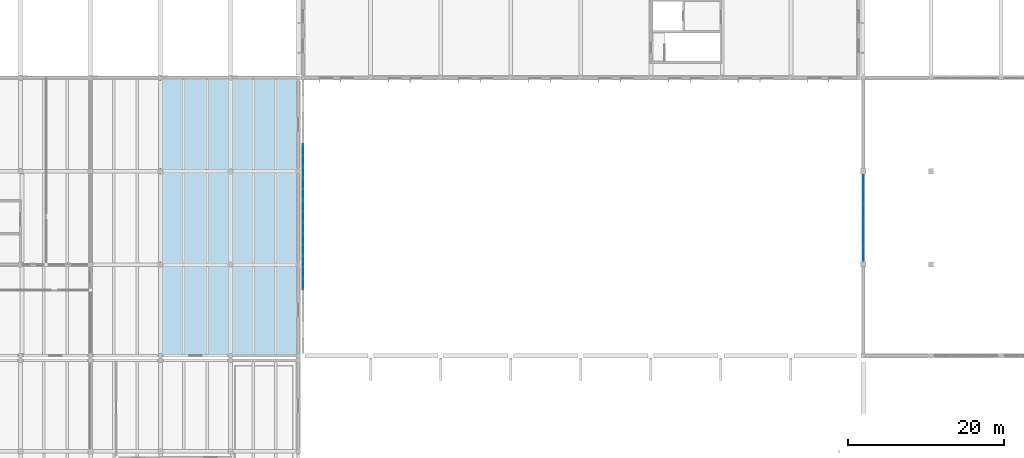
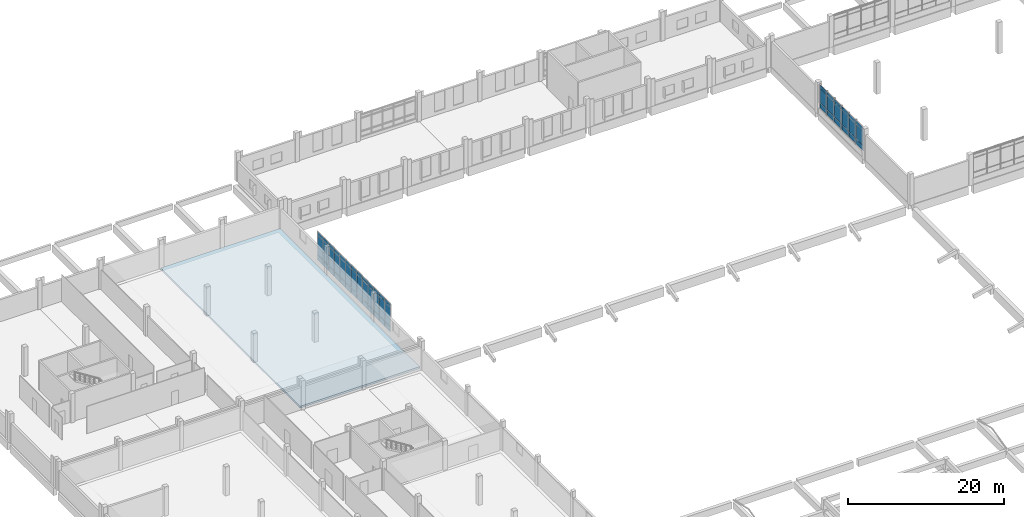
# One storey, part 28 of 63: 57 plates, 1 slab, 2 elements without a shape of their own.
"""IFC4 building model written with IfcOpenShell, lengths in metres."""

from ifc_helpers import new_model, si_unit, direction, frame, origin, origin_2d, place, context, subcontext, project, spatial, polyline, rectangle, outline, extrude, material, layer, layer_set, type_object, element, aggregate, save


model = new_model("IFC4")

# Units and contexts
model_context = context("Model", 3, precision=1e-05, world=origin(), true_north=direction((0.0, 1.0)))
body_context = subcontext(model_context, "Body", "Model", "MODEL_VIEW")
ifc_project = project(units=[si_unit("LENGTHUNIT", "METRE"), si_unit("AREAUNIT", "SQUARE_METRE"), si_unit("VOLUMEUNIT", "CUBIC_METRE"), si_unit("PLANEANGLEUNIT", "RADIAN"), si_unit("MASSUNIT", "GRAM", prefix="KILO")], contexts=[model_context])

# Site, building, storey
site_placement = place(None, origin())
site = spatial("IfcSite", under=ifc_project, at=site_placement, CompositionType="ELEMENT")
building_placement = place(site_placement, origin())
building = spatial("IfcBuilding", under=site, at=building_placement, Name="Zacnel Wholesale Market", CompositionType="ELEMENT")
storey_placement = place(building_placement, frame((0.0, 0.0, 11.199951171875)))
storey = spatial("IfcBuildingStorey", under=building, at=storey_placement, Name="L03", CompositionType="ELEMENT", Elevation=11.199951171875)

# Curtain wall, plates
ifc_material_1 = material(Name="Anodised aluminium", Category="aluminium")
ifc_layer_1 = layer(ifc_material_1, 0.159912109375)
ifc_layer_set_1 = layer_set([ifc_layer_1], Name="Anodised aluminium")
curtain_wall_type_1 = type_object("IfcCurtainWallType", Name="CW-NAVE-4200", PredefinedType="NOTDEFINED", material=ifc_layer_set_1)
curtain_wall_1_placement = place(storey_placement, origin())
curtain_wall_1 = element("IfcCurtainWall", 1, at=curtain_wall_1_placement, inside=storey, type_object=curtain_wall_type_1, Name="Curtain wall ENV-CW-GABLE-NW-W", PredefinedType="NOTDEFINED")
ifc_material_2 = material(Name="Laminated hurricane-impact low-E insulated glass", Category="glass")
ifc_layer_2 = layer(ifc_material_2, 0.031982421875)
ifc_layer_set_2 = layer_set([ifc_layer_2], Name="Laminated hurricane-impact low-E insulated glass")
plate_type_1 = type_object("IfcPlateType", Name="CWP-PNL-02", PredefinedType="CURTAIN_PANEL", material=ifc_layer_set_2)
plate_1_placement = place(storey_placement, frame((72.300048828125, 105.519287109375, 0.8798828125), z_axis=(0.0, 0.0, 1.0), x_axis=(0.0, 1.0, 0.0)))
plate_1 = element("IfcPlate", 2, at=plate_1_placement, type_object=plate_type_1, Name="ENV-CW-GABLE-NW-W panel 1-2", PredefinedType="CURTAIN_PANEL", context=body_context, shape_type="SweptSolid", body=[
    extrude(rectangle(XDim=1.368408203125, YDim=0.031982421875, at=origin_2d()), origin(), (0.0, 0.0, 1.0), 2.989990234375),
])
plate_2_placement = place(storey_placement, frame((72.300048828125, 106.957763671875, 0.8798828125), z_axis=(0.0, 0.0, 1.0), x_axis=(0.0, 1.0, 0.0)))
plate_2 = element("IfcPlate", 3, at=plate_2_placement, type_object=plate_type_1, Name="ENV-CW-GABLE-NW-W panel 2-2", PredefinedType="CURTAIN_PANEL", context=body_context, shape_type="SweptSolid", body=[
    extrude(rectangle(XDim=1.368408203125, YDim=0.031982421875, at=origin_2d()), origin(), (0.0, 0.0, 1.0), 2.989990234375),
])
plate_3_placement = place(storey_placement, frame((72.300048828125, 108.396240234375, 0.8798828125), z_axis=(0.0, 0.0, 1.0), x_axis=(0.0, 1.0, 0.0)))
plate_3 = element("IfcPlate", 4, at=plate_3_placement, type_object=plate_type_1, Name="ENV-CW-GABLE-NW-W panel 3-2", PredefinedType="CURTAIN_PANEL", context=body_context, shape_type="SweptSolid", body=[
    extrude(rectangle(XDim=1.368408203125, YDim=0.031982421875, at=origin_2d()), origin(), (0.0, 0.0, 1.0), 2.989990234375),
])
plate_4_placement = place(storey_placement, frame((72.300048828125, 109.834716796875, 0.8798828125), z_axis=(0.0, 0.0, 1.0), x_axis=(0.0, 1.0, 0.0)))
plate_4 = element("IfcPlate", 5, at=plate_4_placement, type_object=plate_type_1, Name="ENV-CW-GABLE-NW-W panel 4-2", PredefinedType="CURTAIN_PANEL", context=body_context, shape_type="SweptSolid", body=[
    extrude(rectangle(XDim=1.368408203125, YDim=0.031982421875, at=origin_2d()), origin(), (0.0, 0.0, 1.0), 2.989990234375),
])
plate_5_placement = place(storey_placement, frame((72.300048828125, 111.273193359375, 0.8798828125), z_axis=(0.0, 0.0, 1.0), x_axis=(0.0, 1.0, 0.0)))
plate_5 = element("IfcPlate", 6, at=plate_5_placement, type_object=plate_type_1, Name="ENV-CW-GABLE-NW-W panel 5-2", PredefinedType="CURTAIN_PANEL", context=body_context, shape_type="SweptSolid", body=[
    extrude(rectangle(XDim=1.368408203125, YDim=0.031982421875, at=origin_2d()), origin(), (0.0, 0.0, 1.0), 2.989990234375),
])
plate_6_placement = place(storey_placement, frame((72.300048828125, 112.71142578125, 0.8798828125), z_axis=(0.0, 0.0, 1.0), x_axis=(0.0, 1.0, 0.0)))
plate_6 = element("IfcPlate", 7, at=plate_6_placement, type_object=plate_type_1, Name="ENV-CW-GABLE-NW-W panel 6-2", PredefinedType="CURTAIN_PANEL", context=body_context, shape_type="SweptSolid", body=[
    extrude(rectangle(XDim=1.368408203125, YDim=0.031982421875, at=origin_2d()), origin(), (0.0, 0.0, 1.0), 2.989990234375),
])
plate_7_placement = place(storey_placement, frame((72.300048828125, 114.14990234375, 0.8798828125), z_axis=(0.0, 0.0, 1.0), x_axis=(0.0, 1.0, 0.0)))
plate_7 = element("IfcPlate", 8, at=plate_7_placement, type_object=plate_type_1, Name="ENV-CW-GABLE-NW-W panel 7-2", PredefinedType="CURTAIN_PANEL", context=body_context, shape_type="SweptSolid", body=[
    extrude(rectangle(XDim=1.368408203125, YDim=0.031982421875, at=origin_2d()), origin(), (0.0, 0.0, 1.0), 2.989990234375),
])
plate_8_placement = place(storey_placement, frame((72.300048828125, 115.58837890625, 0.8798828125), z_axis=(0.0, 0.0, 1.0), x_axis=(0.0, 1.0, 0.0)))
plate_8 = element("IfcPlate", 9, at=plate_8_placement, type_object=plate_type_1, Name="ENV-CW-GABLE-NW-W panel 8-2", PredefinedType="CURTAIN_PANEL", context=body_context, shape_type="SweptSolid", body=[
    extrude(rectangle(XDim=1.368408203125, YDim=0.031982421875, at=origin_2d()), origin(), (0.0, 0.0, 1.0), 2.989990234375),
])
plate_9_placement = place(storey_placement, frame((72.300048828125, 117.02685546875, 0.8798828125), z_axis=(0.0, 0.0, 1.0), x_axis=(0.0, 1.0, 0.0)))
plate_9 = element("IfcPlate", 10, at=plate_9_placement, type_object=plate_type_1, Name="ENV-CW-GABLE-NW-W panel 9-2", PredefinedType="CURTAIN_PANEL", context=body_context, shape_type="SweptSolid", body=[
    extrude(rectangle(XDim=1.368408203125, YDim=0.031982421875, at=origin_2d()), origin(), (0.0, 0.0, 1.0), 2.989990234375),
])
plate_10_placement = place(storey_placement, frame((72.300048828125, 118.46533203125, 0.8798828125), z_axis=(0.0, 0.0, 1.0), x_axis=(0.0, 1.0, 0.0)))
plate_10 = element("IfcPlate", 11, at=plate_10_placement, type_object=plate_type_1, Name="ENV-CW-GABLE-NW-W panel 10-2", PredefinedType="CURTAIN_PANEL", context=body_context, shape_type="SweptSolid", body=[
    extrude(rectangle(XDim=1.368408203125, YDim=0.031982421875, at=origin_2d()), origin(), (0.0, 0.0, 1.0), 2.989990234375),
])
plate_11_placement = place(storey_placement, frame((72.300048828125, 119.90380859375, 0.8798828125), z_axis=(0.0, 0.0, 1.0), x_axis=(0.0, 1.0, 0.0)))
plate_11 = element("IfcPlate", 12, at=plate_11_placement, type_object=plate_type_1, Name="ENV-CW-GABLE-NW-W panel 11-2", PredefinedType="CURTAIN_PANEL", context=body_context, shape_type="SweptSolid", body=[
    extrude(rectangle(XDim=1.368408203125, YDim=0.031982421875, at=origin_2d()), origin(), (0.0, 0.0, 1.0), 2.989990234375),
])
plate_12_placement = place(storey_placement, frame((72.300048828125, 121.34228515625, 0.8798828125), z_axis=(0.0, 0.0, 1.0), x_axis=(0.0, 1.0, 0.0)))
plate_12 = element("IfcPlate", 13, at=plate_12_placement, type_object=plate_type_1, Name="ENV-CW-GABLE-NW-W panel 12-2", PredefinedType="CURTAIN_PANEL", context=body_context, shape_type="SweptSolid", body=[
    extrude(rectangle(XDim=1.368408203125, YDim=0.031982421875, at=origin_2d()), origin(), (0.0, 0.0, 1.0), 2.989990234375),
])
plate_13_placement = place(storey_placement, frame((72.300048828125, 122.78076171875, 0.8798828125), z_axis=(0.0, 0.0, 1.0), x_axis=(0.0, 1.0, 0.0)))
plate_13 = element("IfcPlate", 14, at=plate_13_placement, type_object=plate_type_1, Name="ENV-CW-GABLE-NW-W panel 13-2", PredefinedType="CURTAIN_PANEL", context=body_context, shape_type="SweptSolid", body=[
    extrude(rectangle(XDim=1.368408203125, YDim=0.031982421875, at=origin_2d()), origin(), (0.0, 0.0, 1.0), 2.989990234375),
])

ifc_material_3 = material(Name="Anodised aluminium", Category="aluminium")
ifc_layer_3 = layer(ifc_material_3, 0.14990234375)
ifc_layer_set_3 = layer_set([ifc_layer_3], Name="Anodised aluminium")
curtain_wall_type_2 = type_object("IfcCurtainWallType", Name="CW-CLER-3600", PredefinedType="NOTDEFINED", material=ifc_layer_set_3)
curtain_wall_2_placement = place(storey_placement, origin())
curtain_wall_2 = element("IfcCurtainWall", 15, at=curtain_wall_2_placement, inside=storey, type_object=curtain_wall_type_2, Name="Curtain wall ENV-CW-XDRUM-W-2", PredefinedType="NOTDEFINED")
ifc_material_4 = material(Name="Laminated hurricane-impact low-E insulated glass", Category="glass")
ifc_layer_4 = layer(ifc_material_4, 0.02392578125)
ifc_layer_set_4 = layer_set([ifc_layer_4], Name="Laminated hurricane-impact low-E insulated glass")
plate_type_2 = type_object("IfcPlateType", Name="CWP-PNL-03", PredefinedType="CURTAIN_PANEL", material=ifc_layer_set_4)
plate_14_placement = place(storey_placement, frame((144.300048828125, 109.38330078125, 1.7802734375), z_axis=(0.0, 0.0, 1.0), x_axis=(0.0, 1.0, 0.0)))
plate_14 = element("IfcPlate", 16, at=plate_14_placement, type_object=plate_type_2, Name="ENV-CW-XDRUM-W-2 panel 1-2", PredefinedType="CURTAIN_PANEL", context=body_context, shape_type="SweptSolid", body=[
    extrude(rectangle(XDim=1.776611328125, YDim=0.02392578125, at=origin_2d()), origin(), (0.0, 0.0, 1.0), 2.239990234375),
])
plate_15_placement = place(storey_placement, frame((144.300048828125, 111.22998046875, 1.7802734375), z_axis=(0.0, 0.0, 1.0), x_axis=(0.0, 1.0, 0.0)))
plate_15 = element("IfcPlate", 17, at=plate_15_placement, type_object=plate_type_2, Name="ENV-CW-XDRUM-W-2 panel 2-2", PredefinedType="CURTAIN_PANEL", context=body_context, shape_type="SweptSolid", body=[
    extrude(rectangle(XDim=1.776611328125, YDim=0.02392578125, at=origin_2d()), origin(), (0.0, 0.0, 1.0), 2.239990234375),
])
plate_16_placement = place(storey_placement, frame((144.300048828125, 113.07666015625, 1.7802734375), z_axis=(0.0, 0.0, 1.0), x_axis=(0.0, 1.0, 0.0)))
plate_16 = element("IfcPlate", 18, at=plate_16_placement, type_object=plate_type_2, Name="ENV-CW-XDRUM-W-2 panel 3-2", PredefinedType="CURTAIN_PANEL", context=body_context, shape_type="SweptSolid", body=[
    extrude(rectangle(XDim=1.776611328125, YDim=0.02392578125, at=origin_2d()), origin(), (0.0, 0.0, 1.0), 2.239990234375),
])
plate_17_placement = place(storey_placement, frame((144.300048828125, 114.92333984375, 1.7802734375), z_axis=(0.0, 0.0, 1.0), x_axis=(0.0, 1.0, 0.0)))
plate_17 = element("IfcPlate", 19, at=plate_17_placement, type_object=plate_type_2, Name="ENV-CW-XDRUM-W-2 panel 4-2", PredefinedType="CURTAIN_PANEL", context=body_context, shape_type="SweptSolid", body=[
    extrude(rectangle(XDim=1.776611328125, YDim=0.02392578125, at=origin_2d()), origin(), (0.0, 0.0, 1.0), 2.239990234375),
])
plate_18_placement = place(storey_placement, frame((144.300048828125, 116.77001953125, 1.7802734375), z_axis=(0.0, 0.0, 1.0), x_axis=(0.0, 1.0, 0.0)))
plate_18 = element("IfcPlate", 20, at=plate_18_placement, type_object=plate_type_2, Name="ENV-CW-XDRUM-W-2 panel 5-2", PredefinedType="CURTAIN_PANEL", context=body_context, shape_type="SweptSolid", body=[
    extrude(rectangle(XDim=1.776611328125, YDim=0.02392578125, at=origin_2d()), origin(), (0.0, 0.0, 1.0), 2.239990234375),
])
plate_19_placement = place(storey_placement, frame((144.300048828125, 118.61669921875, 1.7802734375), z_axis=(0.0, 0.0, 1.0), x_axis=(0.0, 1.0, 0.0)))
plate_19 = element("IfcPlate", 21, at=plate_19_placement, type_object=plate_type_2, Name="ENV-CW-XDRUM-W-2 panel 6-2", PredefinedType="CURTAIN_PANEL", context=body_context, shape_type="SweptSolid", body=[
    extrude(rectangle(XDim=1.776611328125, YDim=0.02392578125, at=origin_2d()), origin(), (0.0, 0.0, 1.0), 2.239990234375),
])

# Plate
ifc_material_5 = material(Name="Anodised aluminium", Category="aluminium")
ifc_layer_5 = layer(ifc_material_5, 0.0400390625)
ifc_layer_set_5 = layer_set([ifc_layer_5], Name="Anodised aluminium")
plate_type_3 = type_object("IfcPlateType", Name="CWP-PNL-05", PredefinedType="CURTAIN_PANEL", material=ifc_layer_set_5)
plate_20_placement = place(storey_placement, frame((72.300048828125, 105.519287109375, 0.030029296875), z_axis=(0.0, 0.0, 1.0), x_axis=(0.0, 1.0, 0.0)))
plate_20 = element("IfcPlate", 22, at=plate_20_placement, type_object=plate_type_3, Name="ENV-CW-GABLE-NW-W panel 1-1", PredefinedType="CURTAIN_PANEL", context=body_context, shape_type="SweptSolid", body=[
    extrude(rectangle(XDim=1.368408203125, YDim=0.0400390625, at=origin_2d()), origin(), (0.0, 0.0, 1.0), 0.7900390625),
])

plate_21_placement = place(storey_placement, frame((72.300048828125, 105.519287109375, 3.93017578125), z_axis=(0.0, 0.0, 1.0), x_axis=(0.0, 1.0, 0.0)))
plate_21 = element("IfcPlate", 23, at=plate_21_placement, type_object=plate_type_3, Name="ENV-CW-GABLE-NW-W panel 1-3", PredefinedType="CURTAIN_PANEL", context=body_context, shape_type="SweptSolid", body=[
    extrude(rectangle(XDim=1.368408203125, YDim=0.0400390625, at=origin_2d()), origin(), (0.0, 0.0, 1.0), 0.489990234375),
])

plate_22_placement = place(storey_placement, frame((72.300048828125, 108.396240234375, 0.030029296875), z_axis=(0.0, 0.0, 1.0), x_axis=(0.0, 1.0, 0.0)))
plate_22 = element("IfcPlate", 24, at=plate_22_placement, type_object=plate_type_3, Name="ENV-CW-GABLE-NW-W panel 3-1", PredefinedType="CURTAIN_PANEL", context=body_context, shape_type="SweptSolid", body=[
    extrude(rectangle(XDim=1.368408203125, YDim=0.0400390625, at=origin_2d()), origin(), (0.0, 0.0, 1.0), 0.7900390625),
])

plate_23_placement = place(storey_placement, frame((72.300048828125, 108.396240234375, 3.93017578125), z_axis=(0.0, 0.0, 1.0), x_axis=(0.0, 1.0, 0.0)))
plate_23 = element("IfcPlate", 25, at=plate_23_placement, type_object=plate_type_3, Name="ENV-CW-GABLE-NW-W panel 3-3", PredefinedType="CURTAIN_PANEL", context=body_context, shape_type="SweptSolid", body=[
    extrude(rectangle(XDim=1.368408203125, YDim=0.0400390625, at=origin_2d()), origin(), (0.0, 0.0, 1.0), 0.489990234375),
])

plate_24_placement = place(storey_placement, frame((72.300048828125, 111.273193359375, 0.030029296875), z_axis=(0.0, 0.0, 1.0), x_axis=(0.0, 1.0, 0.0)))
plate_24 = element("IfcPlate", 26, at=plate_24_placement, type_object=plate_type_3, Name="ENV-CW-GABLE-NW-W panel 5-1", PredefinedType="CURTAIN_PANEL", context=body_context, shape_type="SweptSolid", body=[
    extrude(rectangle(XDim=1.368408203125, YDim=0.0400390625, at=origin_2d()), origin(), (0.0, 0.0, 1.0), 0.7900390625),
])

plate_25_placement = place(storey_placement, frame((72.300048828125, 111.273193359375, 3.93017578125), z_axis=(0.0, 0.0, 1.0), x_axis=(0.0, 1.0, 0.0)))
plate_25 = element("IfcPlate", 27, at=plate_25_placement, type_object=plate_type_3, Name="ENV-CW-GABLE-NW-W panel 5-3", PredefinedType="CURTAIN_PANEL", context=body_context, shape_type="SweptSolid", body=[
    extrude(rectangle(XDim=1.368408203125, YDim=0.0400390625, at=origin_2d()), origin(), (0.0, 0.0, 1.0), 0.489990234375),
])

plate_26_placement = place(storey_placement, frame((72.300048828125, 114.14990234375, 0.030029296875), z_axis=(0.0, 0.0, 1.0), x_axis=(0.0, 1.0, 0.0)))
plate_26 = element("IfcPlate", 28, at=plate_26_placement, type_object=plate_type_3, Name="ENV-CW-GABLE-NW-W panel 7-1", PredefinedType="CURTAIN_PANEL", context=body_context, shape_type="SweptSolid", body=[
    extrude(rectangle(XDim=1.368408203125, YDim=0.0400390625, at=origin_2d()), origin(), (0.0, 0.0, 1.0), 0.7900390625),
])

plate_27_placement = place(storey_placement, frame((72.300048828125, 114.14990234375, 3.93017578125), z_axis=(0.0, 0.0, 1.0), x_axis=(0.0, 1.0, 0.0)))
plate_27 = element("IfcPlate", 29, at=plate_27_placement, type_object=plate_type_3, Name="ENV-CW-GABLE-NW-W panel 7-3", PredefinedType="CURTAIN_PANEL", context=body_context, shape_type="SweptSolid", body=[
    extrude(rectangle(XDim=1.368408203125, YDim=0.0400390625, at=origin_2d()), origin(), (0.0, 0.0, 1.0), 0.489990234375),
])

plate_28_placement = place(storey_placement, frame((72.300048828125, 117.02685546875, 0.030029296875), z_axis=(0.0, 0.0, 1.0), x_axis=(0.0, 1.0, 0.0)))
plate_28 = element("IfcPlate", 30, at=plate_28_placement, type_object=plate_type_3, Name="ENV-CW-GABLE-NW-W panel 9-1", PredefinedType="CURTAIN_PANEL", context=body_context, shape_type="SweptSolid", body=[
    extrude(rectangle(XDim=1.368408203125, YDim=0.0400390625, at=origin_2d()), origin(), (0.0, 0.0, 1.0), 0.7900390625),
])

plate_29_placement = place(storey_placement, frame((72.300048828125, 117.02685546875, 3.93017578125), z_axis=(0.0, 0.0, 1.0), x_axis=(0.0, 1.0, 0.0)))
plate_29 = element("IfcPlate", 31, at=plate_29_placement, type_object=plate_type_3, Name="ENV-CW-GABLE-NW-W panel 9-3", PredefinedType="CURTAIN_PANEL", context=body_context, shape_type="SweptSolid", body=[
    extrude(rectangle(XDim=1.368408203125, YDim=0.0400390625, at=origin_2d()), origin(), (0.0, 0.0, 1.0), 0.489990234375),
])

plate_30_placement = place(storey_placement, frame((72.300048828125, 119.90380859375, 0.030029296875), z_axis=(0.0, 0.0, 1.0), x_axis=(0.0, 1.0, 0.0)))
plate_30 = element("IfcPlate", 32, at=plate_30_placement, type_object=plate_type_3, Name="ENV-CW-GABLE-NW-W panel 11-1", PredefinedType="CURTAIN_PANEL", context=body_context, shape_type="SweptSolid", body=[
    extrude(rectangle(XDim=1.368408203125, YDim=0.0400390625, at=origin_2d()), origin(), (0.0, 0.0, 1.0), 0.7900390625),
])

plate_31_placement = place(storey_placement, frame((72.300048828125, 119.90380859375, 3.93017578125), z_axis=(0.0, 0.0, 1.0), x_axis=(0.0, 1.0, 0.0)))
plate_31 = element("IfcPlate", 33, at=plate_31_placement, type_object=plate_type_3, Name="ENV-CW-GABLE-NW-W panel 11-3", PredefinedType="CURTAIN_PANEL", context=body_context, shape_type="SweptSolid", body=[
    extrude(rectangle(XDim=1.368408203125, YDim=0.0400390625, at=origin_2d()), origin(), (0.0, 0.0, 1.0), 0.489990234375),
])

plate_32_placement = place(storey_placement, frame((72.300048828125, 122.78076171875, 0.030029296875), z_axis=(0.0, 0.0, 1.0), x_axis=(0.0, 1.0, 0.0)))
plate_32 = element("IfcPlate", 34, at=plate_32_placement, type_object=plate_type_3, Name="ENV-CW-GABLE-NW-W panel 13-1", PredefinedType="CURTAIN_PANEL", context=body_context, shape_type="SweptSolid", body=[
    extrude(rectangle(XDim=1.368408203125, YDim=0.0400390625, at=origin_2d()), origin(), (0.0, 0.0, 1.0), 0.7900390625),
])

plate_33_placement = place(storey_placement, frame((72.300048828125, 122.78076171875, 3.93017578125), z_axis=(0.0, 0.0, 1.0), x_axis=(0.0, 1.0, 0.0)))
plate_33 = element("IfcPlate", 35, at=plate_33_placement, type_object=plate_type_3, Name="ENV-CW-GABLE-NW-W panel 13-3", PredefinedType="CURTAIN_PANEL", context=body_context, shape_type="SweptSolid", body=[
    extrude(rectangle(XDim=1.368408203125, YDim=0.0400390625, at=origin_2d()), origin(), (0.0, 0.0, 1.0), 0.489990234375),
])

plate_34_placement = place(storey_placement, frame((144.300048828125, 109.38330078125, 0.929931640625), z_axis=(0.0, 0.0, 1.0), x_axis=(0.0, 1.0, 0.0)))
plate_34 = element("IfcPlate", 36, at=plate_34_placement, type_object=plate_type_3, Name="ENV-CW-XDRUM-W-2 panel 1-1", PredefinedType="CURTAIN_PANEL", context=body_context, shape_type="SweptSolid", body=[
    extrude(rectangle(XDim=1.776611328125, YDim=0.0400390625, at=origin_2d()), origin(), (0.0, 0.0, 1.0), 0.7900390625),
])

plate_35_placement = place(storey_placement, frame((144.300048828125, 109.38330078125, 4.080078125), z_axis=(0.0, 0.0, 1.0), x_axis=(0.0, 1.0, 0.0)))
plate_35 = element("IfcPlate", 37, at=plate_35_placement, type_object=plate_type_3, Name="ENV-CW-XDRUM-W-2 panel 1-3", PredefinedType="CURTAIN_PANEL", context=body_context, shape_type="SweptSolid", body=[
    extrude(rectangle(XDim=1.776611328125, YDim=0.0400390625, at=origin_2d()), origin(), (0.0, 0.0, 1.0), 0.489990234375),
])

plate_36_placement = place(storey_placement, frame((144.300048828125, 113.07666015625, 0.929931640625), z_axis=(0.0, 0.0, 1.0), x_axis=(0.0, 1.0, 0.0)))
plate_36 = element("IfcPlate", 38, at=plate_36_placement, type_object=plate_type_3, Name="ENV-CW-XDRUM-W-2 panel 3-1", PredefinedType="CURTAIN_PANEL", context=body_context, shape_type="SweptSolid", body=[
    extrude(rectangle(XDim=1.776611328125, YDim=0.0400390625, at=origin_2d()), origin(), (0.0, 0.0, 1.0), 0.7900390625),
])

plate_37_placement = place(storey_placement, frame((144.300048828125, 113.07666015625, 4.080078125), z_axis=(0.0, 0.0, 1.0), x_axis=(0.0, 1.0, 0.0)))
plate_37 = element("IfcPlate", 39, at=plate_37_placement, type_object=plate_type_3, Name="ENV-CW-XDRUM-W-2 panel 3-3", PredefinedType="CURTAIN_PANEL", context=body_context, shape_type="SweptSolid", body=[
    extrude(rectangle(XDim=1.776611328125, YDim=0.0400390625, at=origin_2d()), origin(), (0.0, 0.0, 1.0), 0.489990234375),
])

plate_38_placement = place(storey_placement, frame((144.300048828125, 116.77001953125, 0.929931640625), z_axis=(0.0, 0.0, 1.0), x_axis=(0.0, 1.0, 0.0)))
plate_38 = element("IfcPlate", 40, at=plate_38_placement, type_object=plate_type_3, Name="ENV-CW-XDRUM-W-2 panel 5-1", PredefinedType="CURTAIN_PANEL", context=body_context, shape_type="SweptSolid", body=[
    extrude(rectangle(XDim=1.776611328125, YDim=0.0400390625, at=origin_2d()), origin(), (0.0, 0.0, 1.0), 0.7900390625),
])

plate_39_placement = place(storey_placement, frame((144.300048828125, 116.77001953125, 4.080078125), z_axis=(0.0, 0.0, 1.0), x_axis=(0.0, 1.0, 0.0)))
plate_39 = element("IfcPlate", 41, at=plate_39_placement, type_object=plate_type_3, Name="ENV-CW-XDRUM-W-2 panel 5-3", PredefinedType="CURTAIN_PANEL", context=body_context, shape_type="SweptSolid", body=[
    extrude(rectangle(XDim=1.776611328125, YDim=0.0400390625, at=origin_2d()), origin(), (0.0, 0.0, 1.0), 0.489990234375),
])

ifc_material_6 = material(Name="Honed Yucatan Maya cream limestone", Category="masonry")
ifc_layer_6 = layer(ifc_material_6, 0.044921875)
ifc_layer_set_6 = layer_set([ifc_layer_6], Name="Honed Yucatan Maya cream limestone")
plate_type_4 = type_object("IfcPlateType", Name="CWP-PNL-06", PredefinedType="CURTAIN_PANEL", material=ifc_layer_set_6)
plate_40_placement = place(storey_placement, frame((72.300048828125, 106.957763671875, 0.030029296875), z_axis=(0.0, 0.0, 1.0), x_axis=(0.0, 1.0, 0.0)))
plate_40 = element("IfcPlate", 42, at=plate_40_placement, type_object=plate_type_4, Name="ENV-CW-GABLE-NW-W panel 2-1", PredefinedType="CURTAIN_PANEL", context=body_context, shape_type="SweptSolid", body=[
    extrude(rectangle(XDim=1.368408203125, YDim=0.044921875, at=origin_2d()), origin(), (0.0, 0.0, 1.0), 0.7900390625),
])

plate_41_placement = place(storey_placement, frame((72.300048828125, 106.957763671875, 3.93017578125), z_axis=(0.0, 0.0, 1.0), x_axis=(0.0, 1.0, 0.0)))
plate_41 = element("IfcPlate", 43, at=plate_41_placement, type_object=plate_type_4, Name="ENV-CW-GABLE-NW-W panel 2-3", PredefinedType="CURTAIN_PANEL", context=body_context, shape_type="SweptSolid", body=[
    extrude(rectangle(XDim=1.368408203125, YDim=0.044921875, at=origin_2d()), origin(), (0.0, 0.0, 1.0), 0.489990234375),
])

plate_42_placement = place(storey_placement, frame((72.300048828125, 109.834716796875, 0.030029296875), z_axis=(0.0, 0.0, 1.0), x_axis=(0.0, 1.0, 0.0)))
plate_42 = element("IfcPlate", 44, at=plate_42_placement, type_object=plate_type_4, Name="ENV-CW-GABLE-NW-W panel 4-1", PredefinedType="CURTAIN_PANEL", context=body_context, shape_type="SweptSolid", body=[
    extrude(rectangle(XDim=1.368408203125, YDim=0.044921875, at=origin_2d()), origin(), (0.0, 0.0, 1.0), 0.7900390625),
])

plate_43_placement = place(storey_placement, frame((72.300048828125, 109.834716796875, 3.93017578125), z_axis=(0.0, 0.0, 1.0), x_axis=(0.0, 1.0, 0.0)))
plate_43 = element("IfcPlate", 45, at=plate_43_placement, type_object=plate_type_4, Name="ENV-CW-GABLE-NW-W panel 4-3", PredefinedType="CURTAIN_PANEL", context=body_context, shape_type="SweptSolid", body=[
    extrude(rectangle(XDim=1.368408203125, YDim=0.044921875, at=origin_2d()), origin(), (0.0, 0.0, 1.0), 0.489990234375),
])

plate_44_placement = place(storey_placement, frame((72.300048828125, 112.71142578125, 0.030029296875), z_axis=(0.0, 0.0, 1.0), x_axis=(0.0, 1.0, 0.0)))
plate_44 = element("IfcPlate", 46, at=plate_44_placement, type_object=plate_type_4, Name="ENV-CW-GABLE-NW-W panel 6-1", PredefinedType="CURTAIN_PANEL", context=body_context, shape_type="SweptSolid", body=[
    extrude(rectangle(XDim=1.368408203125, YDim=0.044921875, at=origin_2d()), origin(), (0.0, 0.0, 1.0), 0.7900390625),
])

plate_45_placement = place(storey_placement, frame((72.300048828125, 112.71142578125, 3.93017578125), z_axis=(0.0, 0.0, 1.0), x_axis=(0.0, 1.0, 0.0)))
plate_45 = element("IfcPlate", 47, at=plate_45_placement, type_object=plate_type_4, Name="ENV-CW-GABLE-NW-W panel 6-3", PredefinedType="CURTAIN_PANEL", context=body_context, shape_type="SweptSolid", body=[
    extrude(rectangle(XDim=1.368408203125, YDim=0.044921875, at=origin_2d()), origin(), (0.0, 0.0, 1.0), 0.489990234375),
])

plate_46_placement = place(storey_placement, frame((72.300048828125, 115.58837890625, 0.030029296875), z_axis=(0.0, 0.0, 1.0), x_axis=(0.0, 1.0, 0.0)))
plate_46 = element("IfcPlate", 48, at=plate_46_placement, type_object=plate_type_4, Name="ENV-CW-GABLE-NW-W panel 8-1", PredefinedType="CURTAIN_PANEL", context=body_context, shape_type="SweptSolid", body=[
    extrude(rectangle(XDim=1.368408203125, YDim=0.044921875, at=origin_2d()), origin(), (0.0, 0.0, 1.0), 0.7900390625),
])

plate_47_placement = place(storey_placement, frame((72.300048828125, 115.58837890625, 3.93017578125), z_axis=(0.0, 0.0, 1.0), x_axis=(0.0, 1.0, 0.0)))
plate_47 = element("IfcPlate", 49, at=plate_47_placement, type_object=plate_type_4, Name="ENV-CW-GABLE-NW-W panel 8-3", PredefinedType="CURTAIN_PANEL", context=body_context, shape_type="SweptSolid", body=[
    extrude(rectangle(XDim=1.368408203125, YDim=0.044921875, at=origin_2d()), origin(), (0.0, 0.0, 1.0), 0.489990234375),
])

plate_48_placement = place(storey_placement, frame((72.300048828125, 118.46533203125, 0.030029296875), z_axis=(0.0, 0.0, 1.0), x_axis=(0.0, 1.0, 0.0)))
plate_48 = element("IfcPlate", 50, at=plate_48_placement, type_object=plate_type_4, Name="ENV-CW-GABLE-NW-W panel 10-1", PredefinedType="CURTAIN_PANEL", context=body_context, shape_type="SweptSolid", body=[
    extrude(rectangle(XDim=1.368408203125, YDim=0.044921875, at=origin_2d()), origin(), (0.0, 0.0, 1.0), 0.7900390625),
])

plate_49_placement = place(storey_placement, frame((72.300048828125, 118.46533203125, 3.93017578125), z_axis=(0.0, 0.0, 1.0), x_axis=(0.0, 1.0, 0.0)))
plate_49 = element("IfcPlate", 51, at=plate_49_placement, type_object=plate_type_4, Name="ENV-CW-GABLE-NW-W panel 10-3", PredefinedType="CURTAIN_PANEL", context=body_context, shape_type="SweptSolid", body=[
    extrude(rectangle(XDim=1.368408203125, YDim=0.044921875, at=origin_2d()), origin(), (0.0, 0.0, 1.0), 0.489990234375),
])

plate_50_placement = place(storey_placement, frame((72.300048828125, 121.34228515625, 0.030029296875), z_axis=(0.0, 0.0, 1.0), x_axis=(0.0, 1.0, 0.0)))
plate_50 = element("IfcPlate", 52, at=plate_50_placement, type_object=plate_type_4, Name="ENV-CW-GABLE-NW-W panel 12-1", PredefinedType="CURTAIN_PANEL", context=body_context, shape_type="SweptSolid", body=[
    extrude(rectangle(XDim=1.368408203125, YDim=0.044921875, at=origin_2d()), origin(), (0.0, 0.0, 1.0), 0.7900390625),
])

plate_51_placement = place(storey_placement, frame((72.300048828125, 121.34228515625, 3.93017578125), z_axis=(0.0, 0.0, 1.0), x_axis=(0.0, 1.0, 0.0)))
plate_51 = element("IfcPlate", 53, at=plate_51_placement, type_object=plate_type_4, Name="ENV-CW-GABLE-NW-W panel 12-3", PredefinedType="CURTAIN_PANEL", context=body_context, shape_type="SweptSolid", body=[
    extrude(rectangle(XDim=1.368408203125, YDim=0.044921875, at=origin_2d()), origin(), (0.0, 0.0, 1.0), 0.489990234375),
])

aggregate(curtain_wall_1, [plate_20, plate_1, plate_21, plate_40, plate_2, plate_41, plate_22, plate_3, plate_23, plate_42, plate_4, plate_43, plate_24, plate_5, plate_25, plate_44, plate_6, plate_45, plate_26, plate_7, plate_27, plate_46, plate_8, plate_47, plate_28, plate_9, plate_29, plate_48, plate_10, plate_49, plate_30, plate_11, plate_31, plate_50, plate_12, plate_51, plate_32, plate_13, plate_33])

plate_52_placement = place(storey_placement, frame((144.300048828125, 111.22998046875, 0.929931640625), z_axis=(0.0, 0.0, 1.0), x_axis=(0.0, 1.0, 0.0)))
plate_52 = element("IfcPlate", 54, at=plate_52_placement, type_object=plate_type_4, Name="ENV-CW-XDRUM-W-2 panel 2-1", PredefinedType="CURTAIN_PANEL", context=body_context, shape_type="SweptSolid", body=[
    extrude(rectangle(XDim=1.776611328125, YDim=0.044921875, at=origin_2d()), origin(), (0.0, 0.0, 1.0), 0.7900390625),
])

plate_53_placement = place(storey_placement, frame((144.300048828125, 111.22998046875, 4.080078125), z_axis=(0.0, 0.0, 1.0), x_axis=(0.0, 1.0, 0.0)))
plate_53 = element("IfcPlate", 55, at=plate_53_placement, type_object=plate_type_4, Name="ENV-CW-XDRUM-W-2 panel 2-3", PredefinedType="CURTAIN_PANEL", context=body_context, shape_type="SweptSolid", body=[
    extrude(rectangle(XDim=1.776611328125, YDim=0.044921875, at=origin_2d()), origin(), (0.0, 0.0, 1.0), 0.489990234375),
])

plate_54_placement = place(storey_placement, frame((144.300048828125, 114.92333984375, 0.929931640625), z_axis=(0.0, 0.0, 1.0), x_axis=(0.0, 1.0, 0.0)))
plate_54 = element("IfcPlate", 56, at=plate_54_placement, type_object=plate_type_4, Name="ENV-CW-XDRUM-W-2 panel 4-1", PredefinedType="CURTAIN_PANEL", context=body_context, shape_type="SweptSolid", body=[
    extrude(rectangle(XDim=1.776611328125, YDim=0.044921875, at=origin_2d()), origin(), (0.0, 0.0, 1.0), 0.7900390625),
])

plate_55_placement = place(storey_placement, frame((144.300048828125, 114.92333984375, 4.080078125), z_axis=(0.0, 0.0, 1.0), x_axis=(0.0, 1.0, 0.0)))
plate_55 = element("IfcPlate", 57, at=plate_55_placement, type_object=plate_type_4, Name="ENV-CW-XDRUM-W-2 panel 4-3", PredefinedType="CURTAIN_PANEL", context=body_context, shape_type="SweptSolid", body=[
    extrude(rectangle(XDim=1.776611328125, YDim=0.044921875, at=origin_2d()), origin(), (0.0, 0.0, 1.0), 0.489990234375),
])

plate_56_placement = place(storey_placement, frame((144.300048828125, 118.61669921875, 0.929931640625), z_axis=(0.0, 0.0, 1.0), x_axis=(0.0, 1.0, 0.0)))
plate_56 = element("IfcPlate", 58, at=plate_56_placement, type_object=plate_type_4, Name="ENV-CW-XDRUM-W-2 panel 6-1", PredefinedType="CURTAIN_PANEL", context=body_context, shape_type="SweptSolid", body=[
    extrude(rectangle(XDim=1.776611328125, YDim=0.044921875, at=origin_2d()), origin(), (0.0, 0.0, 1.0), 0.7900390625),
])

plate_57_placement = place(storey_placement, frame((144.300048828125, 118.61669921875, 4.080078125), z_axis=(0.0, 0.0, 1.0), x_axis=(0.0, 1.0, 0.0)))
plate_57 = element("IfcPlate", 59, at=plate_57_placement, type_object=plate_type_4, Name="ENV-CW-XDRUM-W-2 panel 6-3", PredefinedType="CURTAIN_PANEL", context=body_context, shape_type="SweptSolid", body=[
    extrude(rectangle(XDim=1.776611328125, YDim=0.044921875, at=origin_2d()), origin(), (0.0, 0.0, 1.0), 0.489990234375),
])

aggregate(curtain_wall_2, [plate_34, plate_14, plate_35, plate_52, plate_15, plate_53, plate_36, plate_16, plate_37, plate_54, plate_17, plate_55, plate_38, plate_18, plate_39, plate_56, plate_19, plate_57])

# Slab
ifc_material_7 = material(Name="Precast concrete C45/55", Category="concrete")
ifc_layer_7 = layer(ifc_material_7, 0.300048828125)
ifc_layer_set_7 = layer_set([ifc_layer_7], Name="Precast concrete C45/55")
slab_type = type_object("IfcSlabType", Name="SLB-FLR-300", PredefinedType="FLOOR", material=ifc_layer_set_7)
slab_placement = place(storey_placement, frame((0.0, 0.0, -0.300048828125)))
element("IfcSlab", 60, at=slab_placement, inside=storey, type_object=slab_type, Name="Structural slab SLB-L03-V3-N-P3", PredefinedType="FLOOR", context=body_context, shape_type="SweptSolid", body=[
    extrude(outline(polyline([(71.699951171875, 96.300048828125), (54.0, 96.300048828125), (54.0, 132.0), (71.699951171875, 132.0), (71.699951171875, 96.300048828125)])), origin(), (0.0, 0.0, 1.0), 0.300048828125),
])

save(model, "model.ifc")
